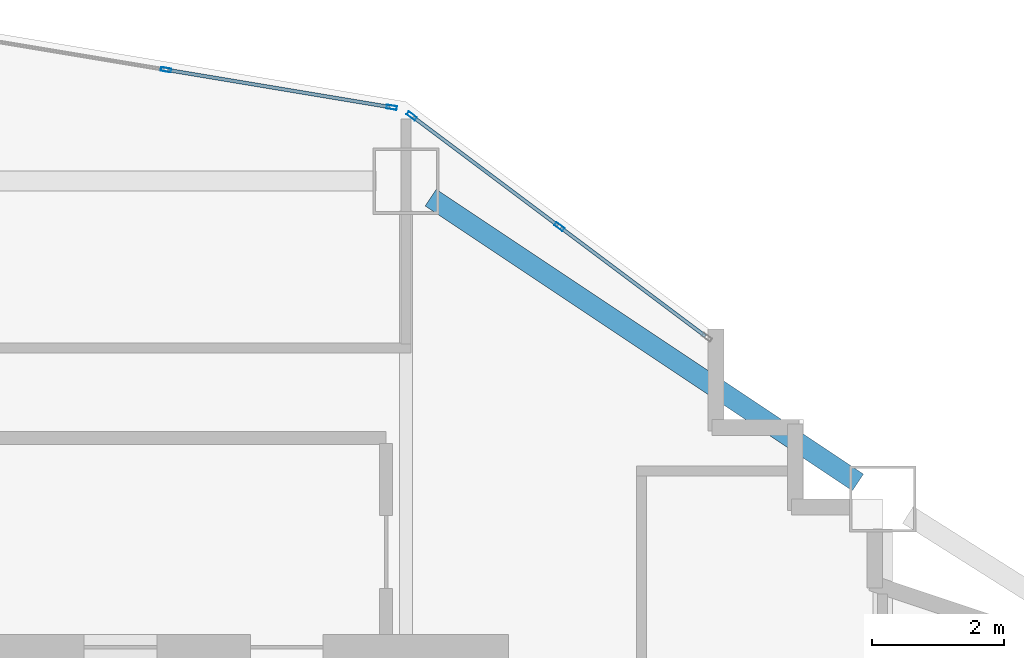
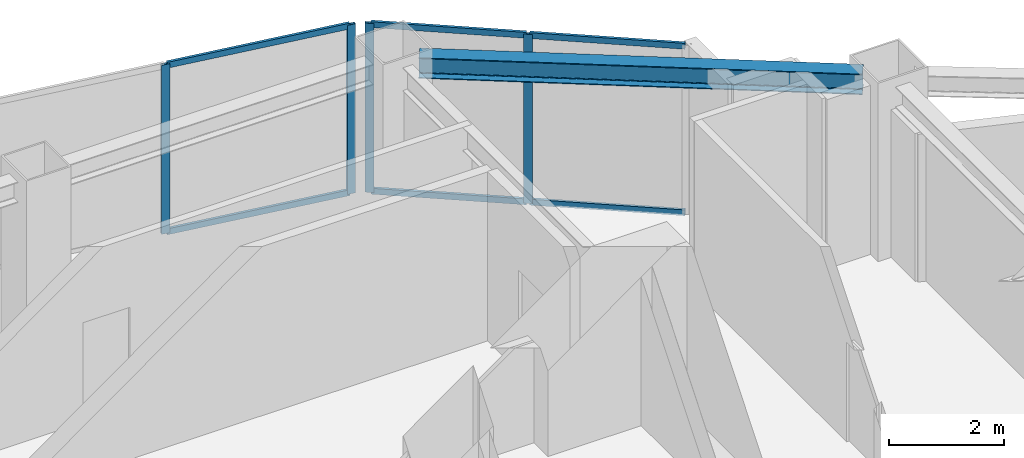
# One storey, part 3 of 13: 10 members, 1 beam, 2 elements without a shape of their own.
"""IFC4 building model written with IfcOpenShell, lengths in metres."""

from ifc_helpers import new_model, si_unit, direction, frame, origin, origin_2d, place, context, subcontext, project, spatial, hollow_rectangle, i_section, extrude, material, layer, layer_set, material_profile, profile_set, type_object, element, aggregate, save


model = new_model("IFC4")

# Units and contexts
model_context = context("Model", 3, precision=1e-05, world=origin(), true_north=direction((0.0, 1.0)))
body_context = subcontext(model_context, "Body", "Model", "MODEL_VIEW")
ifc_project = project(units=[si_unit("LENGTHUNIT", "METRE"), si_unit("AREAUNIT", "SQUARE_METRE"), si_unit("VOLUMEUNIT", "CUBIC_METRE"), si_unit("PLANEANGLEUNIT", "RADIAN"), si_unit("MASSUNIT", "GRAM", prefix="KILO")], contexts=[model_context])

# Site, building, storey
site_placement = place(None, origin())
site = spatial("IfcSite", under=ifc_project, at=site_placement, CompositionType="ELEMENT")
building_placement = place(site_placement, origin())
building = spatial("IfcBuilding", under=site, at=building_placement, Name="Haolan Belvedere Tower", CompositionType="ELEMENT")
storey_placement = place(building_placement, frame((0.0, 0.0, 128.800048828125)))
storey = spatial("IfcBuildingStorey", under=building, at=storey_placement, Name="L32", CompositionType="ELEMENT", Elevation=128.800048828125)

# Beam
ifc_material_1 = material(Name="Steel Q355B", Category="steel")
ifc_material_profile_1 = material_profile(ifc_material_1, i_section(OverallWidth=0.300048828125, OverallDepth=0.43994140625, WebThickness=0.010986328125, FlangeThickness=0.01806640625, FilletRadius=0.02392578125, at=origin_2d()), Name="Steel Q355B")
ifc_profile_set_1 = profile_set([ifc_material_profile_1], Name="Steel Q355B")
beam_type = type_object("IfcBeamType", Name="BM-HM440x300x11x18", PredefinedType="SPANDREL", material=ifc_profile_set_1)
beam_placement = place(storey_placement, frame((45.974365234375, 50.150390625, 3.3798828125), z_axis=(0.832050294338, -0.554700196225, 0.0), x_axis=(0.554700196225, 0.832050294338, 0.0)))
element("IfcBeam", 1, at=beam_placement, inside=storey, type_object=beam_type, Name="L32 spandrel girder MC-T3-N2-MC-T3-NE", PredefinedType="SPANDREL", context=body_context, shape_type="SweptSolid", body=[
    extrude(i_section(OverallWidth=0.300048828125, OverallDepth=0.43994140625, WebThickness=0.010986328125, FlangeThickness=0.01806640625, FilletRadius=0.02392578125, at=origin_2d()), origin(), (0.0, 0.0, 1.0), 7.75341796875),
])

# Curtain wall, members
ifc_material_2 = material(Name="Anodised champagne-silver aluminium 6063-T6 and Low-E glass", Category="aluminium")
ifc_layer = layer(ifc_material_2, 0.155029296875, Name="Anodised champagne-silver aluminium 6063-T6 and Low-E glass")
ifc_layer_set = layer_set([ifc_layer], Name="Anodised champagne-silver aluminium 6063-T6 and Low-E glass")
curtain_wall_type = type_object("IfcCurtainWallType", Name="CW-SYS-03", PredefinedType="NOTDEFINED", material=ifc_layer_set)
curtain_wall_1_placement = place(storey_placement, origin())
curtain_wall_1 = element("IfcCurtainWall", 2, at=curtain_wall_1_placement, inside=storey, type_object=curtain_wall_type, Name="L32 CW-SYS-03 ribbon curtain wall 26.1", PredefinedType="NOTDEFINED")
ifc_material_3 = material(Name="Anodised aluminium 6063-T6", Category="aluminium")
ifc_material_profile_2 = material_profile(ifc_material_3, hollow_rectangle(XDim=0.05810546875, YDim=0.155029296875, WallThickness=0.00390625, at=origin_2d()), Name="Anodised aluminium 6063-T6")
ifc_profile_set_2 = profile_set([ifc_material_profile_2], Name="Anodised aluminium 6063-T6")
member_type_1 = type_object("IfcMemberType", Name="CW-SYS-03-MUL", PredefinedType="MULLION", material=ifc_profile_set_2)
member_1_placement = place(storey_placement, frame((47.915771484375, 49.713134765625, 0.0), z_axis=(0.0, 0.0, 1.0), x_axis=(-0.599994316874, -0.800004262313, 0.0)))
member_1 = element("IfcMember", 3, at=member_1_placement, type_object=member_type_1, Name="CW-03 mullion 2", PredefinedType="MULLION", context=body_context, shape_type="SweptSolid", body=[
    extrude(hollow_rectangle(XDim=0.05810546875, YDim=0.155029296875, WallThickness=0.00390625, at=origin_2d()), origin(), (0.0, 0.0, 1.0), 3.599853515625),
])
member_2_placement = place(storey_placement, frame((45.6865234375, 51.385009765625, 0.0), z_axis=(0.0, 0.0, 1.0), x_axis=(-0.599994316874, -0.800004262313, 0.0)))
member_2 = element("IfcMember", 4, at=member_2_placement, type_object=member_type_1, Name="CW-03 mullion 3", PredefinedType="MULLION", context=body_context, shape_type="SweptSolid", body=[
    extrude(hollow_rectangle(XDim=0.05810546875, YDim=0.155029296875, WallThickness=0.00390625, at=origin_2d()), origin(), (0.0, 0.0, 1.0), 3.599853515625),
])

curtain_wall_2_placement = place(storey_placement, origin())
curtain_wall_2 = element("IfcCurtainWall", 5, at=curtain_wall_2_placement, inside=storey, type_object=curtain_wall_type, Name="L32 CW-SYS-03 ribbon curtain wall 27.1", PredefinedType="NOTDEFINED")
member_3_placement = place(storey_placement, frame((45.384765625, 51.51416015625, 0.0), z_axis=(0.0, 0.0, 1.0), x_axis=(-0.16440364043, -0.9863931483, 0.0)))
member_3 = element("IfcMember", 6, at=member_3_placement, type_object=member_type_1, Name="CW-03 mullion 1", PredefinedType="MULLION", context=body_context, shape_type="SweptSolid", body=[
    extrude(hollow_rectangle(XDim=0.05810546875, YDim=0.155029296875, WallThickness=0.00390625, at=origin_2d()), origin(), (0.0, 0.0, 1.0), 3.599853515625),
])
member_4_placement = place(storey_placement, frame((41.9755859375, 52.082275390625, 0.0), z_axis=(0.0, 0.0, 1.0), x_axis=(-0.16440364043, -0.9863931483, 0.0)))
member_4 = element("IfcMember", 7, at=member_4_placement, type_object=member_type_1, Name="CW-03 mullion 2", PredefinedType="MULLION", context=body_context, shape_type="SweptSolid", body=[
    extrude(hollow_rectangle(XDim=0.05810546875, YDim=0.155029296875, WallThickness=0.00390625, at=origin_2d()), origin(), (0.0, 0.0, 1.0), 3.599853515625),
])

# Member
ifc_material_profile_3 = material_profile(ifc_material_3, hollow_rectangle(XDim=0.053955078125, YDim=0.125, WallThickness=0.00390625, at=origin_2d()), Name="Anodised aluminium 6063-T6")
ifc_profile_set_3 = profile_set([ifc_material_profile_3], Name="Anodised aluminium 6063-T6")
member_type_2 = type_object("IfcMemberType", Name="CW-SYS-03-TRN", PredefinedType="USERDEFINED", material=ifc_profile_set_3)
member_5_placement = place(storey_placement, frame((50.12158203125, 48.058837890625, 0.02685546875), z_axis=(-0.8, 0.6, 0.0), x_axis=(-0.6, -0.8, 0.0)))
member_5 = element("IfcMember", 8, at=member_5_placement, type_object=member_type_2, Name="CW-03 transom 1.1", ObjectType="TRANSOM", PredefinedType="USERDEFINED", context=body_context, shape_type="SweptSolid", body=[
    extrude(hollow_rectangle(XDim=0.053955078125, YDim=0.125, WallThickness=0.00390625, at=origin_2d()), origin(), (0.0, 0.0, 1.0), 2.728271484375),
])

member_6_placement = place(storey_placement, frame((50.12158203125, 48.058837890625, 3.572998046875), z_axis=(-0.8, 0.6, 0.0), x_axis=(-0.6, -0.8, 0.0)))
member_6 = element("IfcMember", 9, at=member_6_placement, type_object=member_type_2, Name="CW-03 transom 1.2", ObjectType="TRANSOM", PredefinedType="USERDEFINED", context=body_context, shape_type="SweptSolid", body=[
    extrude(hollow_rectangle(XDim=0.053955078125, YDim=0.125, WallThickness=0.00390625, at=origin_2d()), origin(), (0.0, 0.0, 1.0), 2.728271484375),
])

member_7_placement = place(storey_placement, frame((47.892578125, 49.730712890625, 0.02685546875), z_axis=(-0.800032211306, 0.59995704919, 0.0), x_axis=(-0.59995704919, -0.800032211306, 0.0)))
member_7 = element("IfcMember", 10, at=member_7_placement, type_object=member_type_2, Name="CW-03 transom 2.1", ObjectType="TRANSOM", PredefinedType="USERDEFINED", context=body_context, shape_type="SweptSolid", body=[
    extrude(hollow_rectangle(XDim=0.053955078125, YDim=0.125, WallThickness=0.00390625, at=origin_2d()), origin(), (0.0, 0.0, 1.0), 2.728515625),
])

member_8_placement = place(storey_placement, frame((47.892578125, 49.730712890625, 3.572998046875), z_axis=(-0.800032211306, 0.59995704919, 0.0), x_axis=(-0.59995704919, -0.800032211306, 0.0)))
member_8 = element("IfcMember", 11, at=member_8_placement, type_object=member_type_2, Name="CW-03 transom 2.2", ObjectType="TRANSOM", PredefinedType="USERDEFINED", context=body_context, shape_type="SweptSolid", body=[
    extrude(hollow_rectangle(XDim=0.053955078125, YDim=0.125, WallThickness=0.00390625, at=origin_2d()), origin(), (0.0, 0.0, 1.0), 2.728515625),
])

aggregate(curtain_wall_1, [member_1, member_2, member_5, member_6, member_7, member_8])

member_9_placement = place(storey_placement, frame((45.356201171875, 51.51904296875, 0.02685546875), z_axis=(-0.986395865591, 0.16438733633, 0.0), x_axis=(-0.16438733633, -0.986395865591, 0.0)))
member_9 = element("IfcMember", 12, at=member_9_placement, type_object=member_type_2, Name="CW-03 transom 1.1", ObjectType="TRANSOM", PredefinedType="USERDEFINED", context=body_context, shape_type="SweptSolid", body=[
    extrude(hollow_rectangle(XDim=0.053955078125, YDim=0.125, WallThickness=0.00390625, at=origin_2d()), origin(), (0.0, 0.0, 1.0), 3.39794921875),
])

member_10_placement = place(storey_placement, frame((45.356201171875, 51.51904296875, 3.572998046875), z_axis=(-0.986395865591, 0.16438733633, 0.0), x_axis=(-0.16438733633, -0.986395865591, 0.0)))
member_10 = element("IfcMember", 13, at=member_10_placement, type_object=member_type_2, Name="CW-03 transom 1.2", ObjectType="TRANSOM", PredefinedType="USERDEFINED", context=body_context, shape_type="SweptSolid", body=[
    extrude(hollow_rectangle(XDim=0.053955078125, YDim=0.125, WallThickness=0.00390625, at=origin_2d()), origin(), (0.0, 0.0, 1.0), 3.39794921875),
])

aggregate(curtain_wall_2, [member_3, member_4, member_9, member_10])

save(model, "model.ifc")
